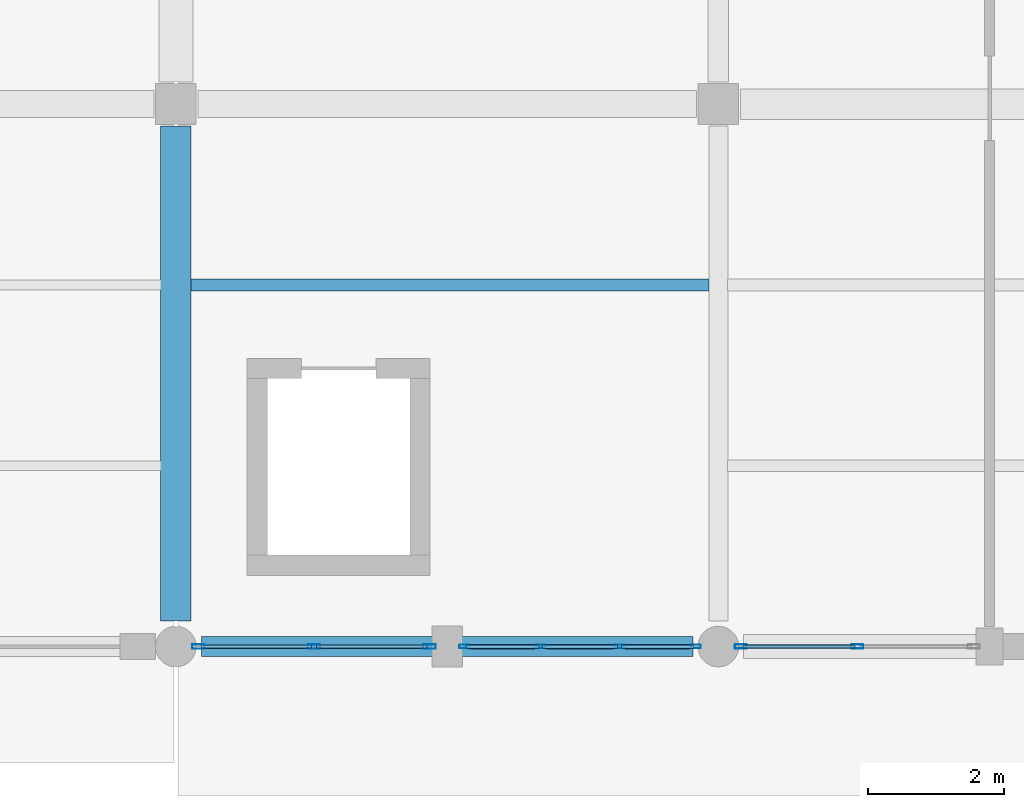
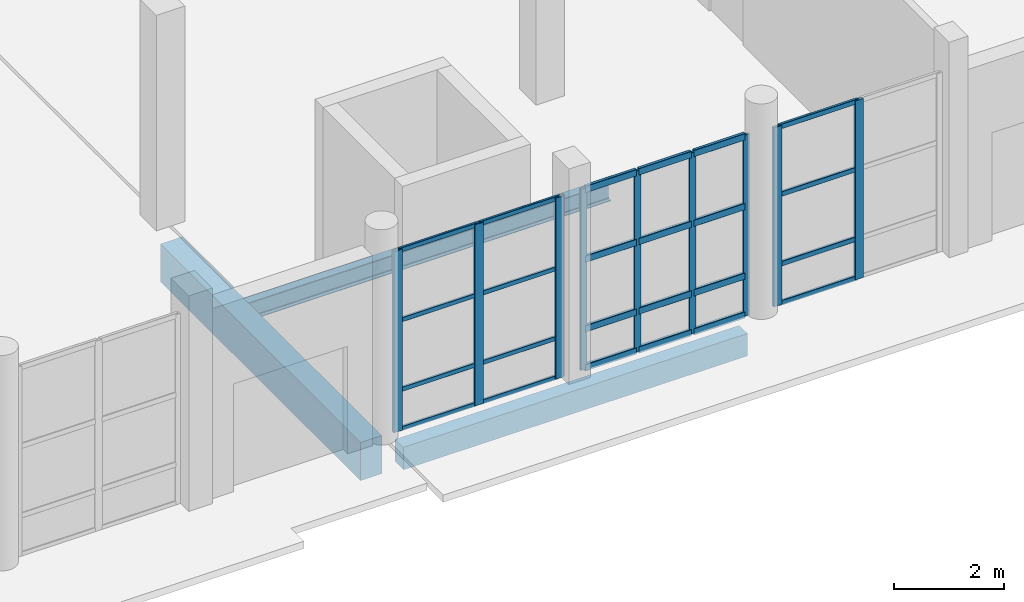
# One storey, part 58 of 156: 33 members, 3 beams, 3 elements without a shape of their own.
"""IFC4 building model written with IfcOpenShell, lengths in metres."""

import ifcopenshell
import ifcopenshell.guid

model = None  # the IFC model being written
_history = None  # IfcOwnerHistory: only IFC2X3 demands one
_inside = {}  # id of a spatial element -> (the spatial element, [elements in it])
_under = {}  # id of a project, library or spatial element -> (it, [spatial elements below it])
_declared = {}  # id of a project -> (the project, [libraries it declares])
_typed = {}  # id of a type object -> (the type object, [elements of that type])
_made_of = {}  # id of a material, layer set ... -> (it, [elements and type objects made of it])


def new_model(schema):
    """Start an empty IFC model of exactly this schema.

    Asked for "IFC4X3", IfcOpenShell would pick the latest addendum, in which some entities
    have other attributes; the version numbers below select the first issue.
    IFC2X3 requires an IfcOwnerHistory on every rooted entity: one is made here for all.
    """
    global model, _history
    if schema == "IFC4X3":
        model = ifcopenshell.file(schema_version=(4, 3, 0, 0))
    else:
        model = ifcopenshell.file(schema=schema)
    _inside.clear()
    _under.clear()
    _declared.clear()
    _typed.clear()
    _made_of.clear()
    _history = None
    if model.schema == "IFC2X3":
        org = make("IfcOrganization", Name="unknown")
        user = make(
            "IfcPersonAndOrganization",
            ThePerson=make("IfcPerson", FamilyName="unknown"),
            TheOrganization=org,
        )
        app = make(
            "IfcApplication",
            ApplicationDeveloper=org,
            Version="unknown",
            ApplicationFullName="unknown",
            ApplicationIdentifier="unknown",
        )
        _history = make(
            "IfcOwnerHistory",
            OwningUser=user,
            OwningApplication=app,
            ChangeAction="ADDED",
            CreationDate=0,
        )
    return model


def make(cls, **values):
    """One entity of the class cls with the attributes given. An attribute that is None is left unset."""
    return model.create_entity(
        cls, **{name: value for name, value in values.items() if value is not None}
    )


def rooted(cls, **values):
    """An entity with a GlobalId (a new one), such as an element, a storey or a relation."""
    return make(cls, GlobalId=ifcopenshell.guid.new(), OwnerHistory=_history, **values)


def si_unit(unit_type, name, prefix=None):
    """IfcSIUnit, for example si_unit("LENGTHUNIT", "METRE", prefix="MILLI")."""
    return make("IfcSIUnit", UnitType=unit_type, Prefix=prefix, Name=name)


def assignment(units):
    """IfcUnitAssignment: the units of a project."""
    return None if units is None else make("IfcUnitAssignment", Units=units)


def point(xyz):
    """IfcCartesianPoint."""
    return None if xyz is None else make("IfcCartesianPoint", Coordinates=xyz)


def direction(xyz):
    """IfcDirection."""
    return None if xyz is None else make("IfcDirection", DirectionRatios=xyz)


def frame(location, z_axis=None, x_axis=None):
    """IfcAxis2Placement3D, a coordinate frame: its origin and axes. An axis left out is left unset."""
    return make(
        "IfcAxis2Placement3D",
        Location=point(location),
        Axis=direction(z_axis),
        RefDirection=direction(x_axis),
    )


def frame_2d(location, x_axis=None):
    """IfcAxis2Placement2D, a coordinate frame in the plane: its origin and x axis."""
    return make(
        "IfcAxis2Placement2D", Location=point(location), RefDirection=direction(x_axis)
    )


def origin():
    """The frame at (0, 0, 0) with its axes left unset."""
    return frame((0.0, 0.0, 0.0))


def origin_2d():
    """The frame at (0, 0) in the plane with its x axis left unset."""
    return frame_2d((0.0, 0.0))


def place(relative_to, where):
    """IfcLocalPlacement: puts the frame where relative to a parent placement (None: the world)."""
    return make(
        "IfcLocalPlacement", PlacementRelTo=relative_to, RelativePlacement=where
    )


def context(
    kind, dimensions, precision=None, world=None, true_north=None, identifier=None
):
    """IfcGeometricRepresentationContext, for example the 3D "Model" context."""
    return make(
        "IfcGeometricRepresentationContext",
        ContextIdentifier=identifier,
        ContextType=kind,
        CoordinateSpaceDimension=dimensions,
        Precision=precision,
        WorldCoordinateSystem=world,
        TrueNorth=true_north,
    )


def subcontext(parent, identifier, kind, view, scale=None):
    """IfcGeometricRepresentationSubContext, for example "Body" below "Model"."""
    return make(
        "IfcGeometricRepresentationSubContext",
        ContextIdentifier=identifier,
        ContextType=kind,
        ParentContext=parent,
        TargetScale=scale,
        TargetView=view,
    )


def project(units=None, contexts=None):
    """IfcProject with its units and contexts."""
    return rooted(
        "IfcProject",
        Name="project",
        RepresentationContexts=contexts,
        UnitsInContext=assignment(units),
    )


def spatial(cls, under=None, at=None, **own):
    """A site, building, storey or space (cls), placed at a placement, below another one or the project."""
    s = rooted(cls, ObjectPlacement=at, **own)
    if under is not None:
        _under.setdefault(under.id(), (under, []))[1].append(s)
    return s


def profile(cls, at=None, kind="AREA", **sizes):
    """A parametric profile (cls). Its sizes go by their IFC names, for example OverallWidth=200.0."""
    return make(cls, ProfileType=kind, Position=at, **sizes)


def rectangle(**sizes):
    """IfcRectangleProfileDef."""
    return profile("IfcRectangleProfileDef", **sizes)


def hollow_rectangle(**sizes):
    """IfcRectangleHollowProfileDef."""
    return profile("IfcRectangleHollowProfileDef", **sizes)


def i_section(**sizes):
    """IfcIShapeProfileDef."""
    return profile("IfcIShapeProfileDef", **sizes)


def extrude(swept, where, along, depth):
    """IfcExtrudedAreaSolid: the profile swept, set in the frame where, extruded along a direction by depth."""
    return make(
        "IfcExtrudedAreaSolid",
        SweptArea=swept,
        Position=where,
        ExtrudedDirection=direction(along),
        Depth=depth,
    )


def shape(context_of_items, identifier, shape_type, items):
    """IfcShapeRepresentation: the items that make up one representation, for example the "Body"."""
    return make(
        "IfcShapeRepresentation",
        ContextOfItems=context_of_items,
        RepresentationIdentifier=identifier,
        RepresentationType=shape_type,
        Items=items,
    )


def material(Name=None, Category=None):
    """IfcMaterial."""
    return make("IfcMaterial", Name=Name, Category=Category)


def material_profile(
    of_material, cross_section, Name=None, Category=None, Priority=None
):
    """IfcMaterialProfile: a cross section and its material."""
    return make(
        "IfcMaterialProfile",
        Name=Name,
        Material=of_material,
        Profile=cross_section,
        Priority=Priority,
        Category=Category,
    )


def profile_set(profiles, Name=None, composite=None):
    """IfcMaterialProfileSet."""
    return make(
        "IfcMaterialProfileSet",
        Name=Name,
        MaterialProfiles=profiles,
        CompositeProfile=composite,
    )


def made_of(thing, what):
    """Note that an element or type object is made of a material, layer set ...; save() writes the relation."""
    if what is not None:
        _made_of.setdefault(what.id(), (what, []))[1].append(thing)
    return thing


def type_object(cls, material=None, **own):
    """A type object (cls), such as IfcWallType, which elements share."""
    return made_of(rooted(cls, **own), material)


def element(
    cls,
    number,
    at=None,
    inside=None,
    cuts=None,
    type_object=None,
    material=None,
    context=None,
    identifier="Body",
    shape_type=None,
    held_by="IfcProductDefinitionShape",
    body=None,
    shapes=None,
    **own,
):
    """One element of the class cls, such as IfcWall. Its Tag is "e" and its number.

    at: its placement. inside: the storey or other place that contains it. cuts: it is an
    opening in that element (IfcRelVoidsElement). A single representation is given by context,
    identifier, shape_type and body (its items); several are given by shapes. held_by: the class
    of the entity that holds the representations. save() writes the other relations.
    """
    e = rooted(cls, Tag="e%d" % number, ObjectPlacement=at, **own)
    if body is not None:
        shapes = [shape(context, identifier, shape_type, body)]
    if shapes is not None:
        e.Representation = make(held_by, Representations=shapes)
    if inside is not None:
        _inside.setdefault(inside.id(), (inside, []))[1].append(e)
    if cuts is not None:
        rooted(
            "IfcRelVoidsElement", RelatingBuildingElement=cuts, RelatedOpeningElement=e
        )
    if type_object is not None:
        _typed.setdefault(type_object.id(), (type_object, []))[1].append(e)
    return made_of(e, material)


def aggregate(whole, parts):
    """IfcRelAggregates: a whole, such as a stair, and the parts it consists of."""
    return rooted("IfcRelAggregates", RelatingObject=whole, RelatedObjects=parts)


def save(model, path):
    """Write the relations noted so far, then the file.

    IfcRelAggregates (storeys below a building ...), IfcRelContainedInSpatialStructure (elements
    in a storey), IfcRelDefinesByType, IfcRelAssociatesMaterial and IfcRelDeclares: one each for
    every whole, place, type object, material and project.
    """
    for whole, parts in _under.values():
        aggregate(whole, parts)
    for where, things in _inside.values():
        rooted(
            "IfcRelContainedInSpatialStructure",
            RelatedElements=things,
            RelatingStructure=where,
        )
    for kind, things in _typed.values():
        rooted("IfcRelDefinesByType", RelatedObjects=things, RelatingType=kind)
    for what, things in _made_of.values():
        rooted("IfcRelAssociatesMaterial", RelatedObjects=things, RelatingMaterial=what)
    for by, libraries in _declared.values():
        rooted("IfcRelDeclares", RelatingContext=by, RelatedDefinitions=libraries)
    model.write(path)


model = new_model("IFC4")

# Units and contexts
model_context = context("Model", 3, precision=1e-05, world=origin(), true_north=direction((0.0, 1.0)))
body_context = subcontext(model_context, "Body", "Model", "MODEL_VIEW")
ifc_project = project(units=[si_unit("LENGTHUNIT", "METRE"), si_unit("AREAUNIT", "SQUARE_METRE"), si_unit("VOLUMEUNIT", "CUBIC_METRE"), si_unit("PLANEANGLEUNIT", "RADIAN"), si_unit("MASSUNIT", "GRAM", prefix="KILO")], contexts=[model_context])

# Site, building, storey
site_placement = place(None, origin())
site = spatial("IfcSite", under=ifc_project, at=site_placement, CompositionType="ELEMENT")
building_placement = place(site_placement, origin())
building = spatial("IfcBuilding", under=site, at=building_placement, Name="Luwemba Playhouse", CompositionType="ELEMENT")
storey_placement = place(building_placement, origin())
storey = spatial("IfcBuildingStorey", under=building, at=storey_placement, Name="L00", CompositionType="ELEMENT", Elevation=0.0)

# Beams
ifc_material_1 = material(Name="Concrete C40/50", Category="concrete")
ifc_material_profile_1 = material_profile(ifc_material_1, rectangle(XDim=0.449951171875, YDim=0.85009765625, at=origin_2d()))
ifc_profile_set_1 = profile_set([ifc_material_profile_1], Name="Concrete C40/50")
beam_type_1 = type_object("IfcBeamType", Name="BM-RB05", PredefinedType="BEAM", material=ifc_profile_set_1)
beam_1_placement = place(storey_placement, frame((132.0, 3.375, -0.72509765625), z_axis=(0.0, 1.0, 0.0), x_axis=(-1.0, 0.0, 0.0)))
element("IfcBeam", 1, at=beam_1_placement, inside=storey, type_object=beam_type_1, Name="L00 transverse girder 0236", PredefinedType="BEAM", context=body_context, shape_type="SweptSolid", body=[
    extrude(rectangle(XDim=0.449951171875, YDim=0.85009765625, at=origin_2d()), origin(), (0.0, 0.0, 1.0), 7.300048828125),
])
ifc_material_2 = material(Name="Steel S355", Category="steel")
ifc_material_profile_2 = material_profile(ifc_material_2, i_section(OverallWidth=0.179931640625, OverallDepth=0.39990234375, WebThickness=0.008544921875, FlangeThickness=0.013427734375, FilletRadius=0.02099609375, at=origin_2d()))
ifc_profile_set_2 = profile_set([ifc_material_profile_2], Name="Steel S355")
beam_type_2 = type_object("IfcBeamType", Name="BM-SJ08", PredefinedType="JOIST", material=ifc_profile_set_2)
beam_2_placement = place(storey_placement, frame((132.220947265625, 8.333251953125, -0.5), z_axis=(1.0, 0.0, 0.0), x_axis=(0.0, 1.0, 0.0)))
element("IfcBeam", 2, at=beam_2_placement, inside=storey, type_object=beam_type_2, Name="L00 composite floor joist 0166", PredefinedType="JOIST", context=body_context, shape_type="SweptSolid", body=[
    extrude(i_section(OverallWidth=0.179931640625, OverallDepth=0.39990234375, WebThickness=0.008544921875, FlangeThickness=0.013427734375, FilletRadius=0.02099609375, at=origin_2d()), origin(), (0.0, 0.0, 1.0), 7.64306640625),
])
ifc_material_profile_3 = material_profile(ifc_material_1, rectangle(XDim=0.300048828125, YDim=0.5, at=origin_2d()))
ifc_profile_set_3 = profile_set([ifc_material_profile_3], Name="Concrete C40/50")
beam_type_3 = type_object("IfcBeamType", Name="BM-SP1", PredefinedType="SPANDREL", material=ifc_profile_set_3)
beam_3_placement = place(storey_placement, frame((132.375, 3.0, -0.550048828125), z_axis=(1.0, 0.0, 0.0), x_axis=(0.0, 1.0, 0.0)))
element("IfcBeam", 3, at=beam_3_placement, inside=storey, type_object=beam_type_3, Name="L00 grid girder 0204", PredefinedType="SPANDREL", context=body_context, shape_type="SweptSolid", body=[
    extrude(rectangle(XDim=0.300048828125, YDim=0.5, at=origin_2d()), origin(), (0.0, 0.0, 1.0), 7.25),
])

# Curtain wall, members
ifc_material_3 = material(Name="Solar-control double glazing", Category="glass")
curtain_wall_type_1 = type_object("IfcCurtainWallType", Name="CW-CW64", PredefinedType="USERDEFINED", material=ifc_material_3)
curtain_wall_1_placement = place(storey_placement, origin())
curtain_wall_1 = element("IfcCurtainWall", 4, at=curtain_wall_1_placement, inside=storey, type_object=curtain_wall_type_1, Name="L00 V5E unitised curtain wall 076", ObjectType="UNITISED GLAZING", PredefinedType="USERDEFINED")
ifc_material_4 = material(Name="Aluminium 6063-T6", Category="aluminium")
ifc_material_profile_4 = material_profile(ifc_material_4, hollow_rectangle(XDim=0.06494140625, YDim=0.179931640625, WallThickness=0.00439453125, InnerFilletRadius=0.0068359375, OuterFilletRadius=0.01123046875, at=origin_2d()))
ifc_profile_set_4 = profile_set([ifc_material_profile_4], Name="Aluminium 6063-T6")
member_type_1 = type_object("IfcMemberType", Name="CWM-M2", PredefinedType="MULLION", material=ifc_profile_set_4)
member_1_placement = place(storey_placement, frame((142.050048828125, 3.0, 0.0), z_axis=(0.0, 0.0, 1.0), x_axis=(0.0, -1.0, 0.0)))
member_1 = element("IfcMember", 5, at=member_1_placement, type_object=member_type_1, Name="CW64 mullion 2", PredefinedType="MULLION", context=body_context, shape_type="SweptSolid", body=[
    extrude(hollow_rectangle(XDim=0.06494140625, YDim=0.179931640625, WallThickness=0.00439453125, InnerFilletRadius=0.0068359375, OuterFilletRadius=0.01123046875, at=origin_2d()), origin(), (0.0, 0.0, 1.0), 3.985107421875),
])
member_2_placement = place(storey_placement, frame((140.33251953125, 3.0, 0.0), z_axis=(0.0, 0.0, 1.0), x_axis=(0.0, -1.0, 0.0)))
member_2 = element("IfcMember", 6, at=member_2_placement, type_object=member_type_1, Name="CW64 mullion 3", PredefinedType="MULLION", context=body_context, shape_type="SweptSolid", body=[
    extrude(hollow_rectangle(XDim=0.06494140625, YDim=0.179931640625, WallThickness=0.00439453125, InnerFilletRadius=0.0068359375, OuterFilletRadius=0.01123046875, at=origin_2d()), origin(), (0.0, 0.0, 1.0), 3.985107421875),
])

curtain_wall_type_2 = type_object("IfcCurtainWallType", Name="CW-CW17", PredefinedType="USERDEFINED", material=ifc_material_3)
curtain_wall_2_placement = place(storey_placement, origin())
curtain_wall_2 = element("IfcCurtainWall", 7, at=curtain_wall_2_placement, inside=storey, type_object=curtain_wall_type_2, Name="L00 V5E unitised curtain wall 077", ObjectType="UNITISED GLAZING", PredefinedType="USERDEFINED")
ifc_material_profile_5 = material_profile(ifc_material_4, hollow_rectangle(XDim=0.054931640625, YDim=0.139892578125, WallThickness=0.00390625, InnerFilletRadius=0.006103515625, OuterFilletRadius=0.010009765625, at=origin_2d()))
ifc_profile_set_5 = profile_set([ifc_material_profile_5], Name="Aluminium 6063-T6")
member_type_2 = type_object("IfcMemberType", Name="CWM-M3", PredefinedType="MULLION", material=ifc_profile_set_5)
member_3_placement = place(storey_placement, frame((139.672607421875, 3.0, 0.0), z_axis=(0.0, 0.0, 1.0), x_axis=(0.0, -1.0, 0.0)))
member_3 = element("IfcMember", 8, at=member_3_placement, type_object=member_type_2, Name="CW17 mullion 1", PredefinedType="MULLION", context=body_context, shape_type="SweptSolid", body=[
    extrude(hollow_rectangle(XDim=0.054931640625, YDim=0.139892578125, WallThickness=0.00390625, InnerFilletRadius=0.006103515625, OuterFilletRadius=0.010009765625, at=origin_2d()), origin(), (0.0, 0.0, 1.0), 4.034912109375),
])
member_4_placement = place(storey_placement, frame((138.541748046875, 3.0, 0.0), z_axis=(0.0, 0.0, 1.0), x_axis=(0.0, -1.0, 0.0)))
member_4 = element("IfcMember", 9, at=member_4_placement, type_object=member_type_2, Name="CW17 mullion 2", PredefinedType="MULLION", context=body_context, shape_type="SweptSolid", body=[
    extrude(hollow_rectangle(XDim=0.054931640625, YDim=0.139892578125, WallThickness=0.00390625, InnerFilletRadius=0.006103515625, OuterFilletRadius=0.010009765625, at=origin_2d()), origin(), (0.0, 0.0, 1.0), 4.034912109375),
])
member_5_placement = place(storey_placement, frame((137.38330078125, 3.0, 0.0), z_axis=(0.0, 0.0, 1.0), x_axis=(0.0, -1.0, 0.0)))
member_5 = element("IfcMember", 10, at=member_5_placement, type_object=member_type_2, Name="CW17 mullion 3", PredefinedType="MULLION", context=body_context, shape_type="SweptSolid", body=[
    extrude(hollow_rectangle(XDim=0.054931640625, YDim=0.139892578125, WallThickness=0.00390625, InnerFilletRadius=0.006103515625, OuterFilletRadius=0.010009765625, at=origin_2d()), origin(), (0.0, 0.0, 1.0), 4.034912109375),
])
member_6_placement = place(storey_placement, frame((136.25244140625, 3.0, 0.0), z_axis=(0.0, 0.0, 1.0), x_axis=(0.0, -1.0, 0.0)))
member_6 = element("IfcMember", 11, at=member_6_placement, type_object=member_type_2, Name="CW17 mullion 4", PredefinedType="MULLION", context=body_context, shape_type="SweptSolid", body=[
    extrude(hollow_rectangle(XDim=0.054931640625, YDim=0.139892578125, WallThickness=0.00390625, InnerFilletRadius=0.006103515625, OuterFilletRadius=0.010009765625, at=origin_2d()), origin(), (0.0, 0.0, 1.0), 4.034912109375),
])

curtain_wall_type_3 = type_object("IfcCurtainWallType", Name="CW-CW14", PredefinedType="USERDEFINED", material=ifc_material_3)
curtain_wall_3_placement = place(storey_placement, origin())
curtain_wall_3 = element("IfcCurtainWall", 12, at=curtain_wall_3_placement, inside=storey, type_object=curtain_wall_type_3, Name="L00 V5E unitised curtain wall 078", ObjectType="UNITISED GLAZING", PredefinedType="USERDEFINED")
ifc_material_profile_6 = material_profile(ifc_material_4, hollow_rectangle(XDim=0.070068359375, YDim=0.18994140625, WallThickness=0.0048828125, InnerFilletRadius=0.007568359375, OuterFilletRadius=0.012451171875, at=origin_2d()))
ifc_profile_set_6 = profile_set([ifc_material_profile_6], Name="Aluminium 6063-T6")
member_type_3 = type_object("IfcMemberType", Name="CWM-M4", PredefinedType="MULLION", material=ifc_profile_set_6)
member_7_placement = place(storey_placement, frame((135.739990234375, 3.0, 0.0), z_axis=(0.0, 0.0, 1.0), x_axis=(0.0, -1.0, 0.0)))
member_7 = element("IfcMember", 13, at=member_7_placement, type_object=member_type_3, Name="CW14 mullion 1", PredefinedType="MULLION", context=body_context, shape_type="SweptSolid", body=[
    extrude(hollow_rectangle(XDim=0.070068359375, YDim=0.18994140625, WallThickness=0.0048828125, InnerFilletRadius=0.007568359375, OuterFilletRadius=0.012451171875, at=origin_2d()), origin(), (0.0, 0.0, 1.0), 4.034912109375),
])
member_8_placement = place(storey_placement, frame((134.03759765625, 3.0, 0.0), z_axis=(0.0, 0.0, 1.0), x_axis=(0.0, -1.0, 0.0)))
member_8 = element("IfcMember", 14, at=member_8_placement, type_object=member_type_3, Name="CW14 mullion 2", PredefinedType="MULLION", context=body_context, shape_type="SweptSolid", body=[
    extrude(hollow_rectangle(XDim=0.070068359375, YDim=0.18994140625, WallThickness=0.0048828125, InnerFilletRadius=0.007568359375, OuterFilletRadius=0.012451171875, at=origin_2d()), origin(), (0.0, 0.0, 1.0), 4.034912109375),
])
member_9_placement = place(storey_placement, frame((132.3349609375, 3.0, 0.0), z_axis=(0.0, 0.0, 1.0), x_axis=(0.0, -1.0, 0.0)))
member_9 = element("IfcMember", 15, at=member_9_placement, type_object=member_type_3, Name="CW14 mullion 3", PredefinedType="MULLION", context=body_context, shape_type="SweptSolid", body=[
    extrude(hollow_rectangle(XDim=0.070068359375, YDim=0.18994140625, WallThickness=0.0048828125, InnerFilletRadius=0.007568359375, OuterFilletRadius=0.012451171875, at=origin_2d()), origin(), (0.0, 0.0, 1.0), 4.034912109375),
])

# Member
ifc_material_profile_7 = material_profile(ifc_material_4, hollow_rectangle(XDim=0.054931640625, YDim=0.110107421875, WallThickness=0.00341796875, InnerFilletRadius=0.00537109375, OuterFilletRadius=0.0087890625, at=origin_2d()))
ifc_profile_set_7 = profile_set([ifc_material_profile_7], Name="Aluminium 6063-T6")
member_type_4 = type_object("IfcMemberType", Name="CWT-T2", PredefinedType="USERDEFINED", material=ifc_profile_set_7)
member_10_placement = place(storey_placement, frame((142.017578125, 3.0, 0.027587890625), z_axis=(-1.0, 0.0, 0.0), x_axis=(0.0, -1.0, 0.0)))
member_10 = element("IfcMember", 16, at=member_10_placement, type_object=member_type_4, Name="CW64 transom 2.1", ObjectType="TRANSOM", PredefinedType="USERDEFINED", context=body_context, shape_type="SweptSolid", body=[
    extrude(hollow_rectangle(XDim=0.054931640625, YDim=0.110107421875, WallThickness=0.00341796875, InnerFilletRadius=0.00537109375, OuterFilletRadius=0.0087890625, at=origin_2d()), origin(), (0.0, 0.0, 1.0), 1.652587890625),
])

member_11_placement = place(storey_placement, frame((142.017578125, 3.0, 0.89990234375), z_axis=(-1.0, 0.0, 0.0), x_axis=(0.0, -1.0, 0.0)))
member_11 = element("IfcMember", 17, at=member_11_placement, type_object=member_type_4, Name="CW64 transom 2.2", ObjectType="TRANSOM", PredefinedType="USERDEFINED", context=body_context, shape_type="SweptSolid", body=[
    extrude(hollow_rectangle(XDim=0.054931640625, YDim=0.110107421875, WallThickness=0.00341796875, InnerFilletRadius=0.00537109375, OuterFilletRadius=0.0087890625, at=origin_2d()), origin(), (0.0, 0.0, 1.0), 1.652587890625),
])

member_12_placement = place(storey_placement, frame((142.017578125, 3.0, 2.449951171875), z_axis=(-1.0, 0.0, 0.0), x_axis=(0.0, -1.0, 0.0)))
member_12 = element("IfcMember", 18, at=member_12_placement, type_object=member_type_4, Name="CW64 transom 2.3", ObjectType="TRANSOM", PredefinedType="USERDEFINED", context=body_context, shape_type="SweptSolid", body=[
    extrude(hollow_rectangle(XDim=0.054931640625, YDim=0.110107421875, WallThickness=0.00341796875, InnerFilletRadius=0.00537109375, OuterFilletRadius=0.0087890625, at=origin_2d()), origin(), (0.0, 0.0, 1.0), 1.652587890625),
])

member_13_placement = place(storey_placement, frame((142.017578125, 3.0, 3.95751953125), z_axis=(-1.0, 0.0, 0.0), x_axis=(0.0, -1.0, 0.0)))
member_13 = element("IfcMember", 19, at=member_13_placement, type_object=member_type_4, Name="CW64 transom 2.4", ObjectType="TRANSOM", PredefinedType="USERDEFINED", context=body_context, shape_type="SweptSolid", body=[
    extrude(hollow_rectangle(XDim=0.054931640625, YDim=0.110107421875, WallThickness=0.00341796875, InnerFilletRadius=0.00537109375, OuterFilletRadius=0.0087890625, at=origin_2d()), origin(), (0.0, 0.0, 1.0), 1.652587890625),
])

aggregate(curtain_wall_1, [member_1, member_2, member_10, member_11, member_12, member_13])

ifc_material_profile_8 = material_profile(ifc_material_4, hollow_rectangle(XDim=0.06494140625, YDim=0.14990234375, WallThickness=0.00390625, InnerFilletRadius=0.006103515625, OuterFilletRadius=0.010009765625, at=origin_2d()))
ifc_profile_set_8 = profile_set([ifc_material_profile_8], Name="Aluminium 6063-T6")
member_type_5 = type_object("IfcMemberType", Name="CWT-T3", PredefinedType="USERDEFINED", material=ifc_profile_set_8)
member_14_placement = place(storey_placement, frame((139.64501953125, 3.0, 0.032470703125), z_axis=(-1.0, 0.0, 0.0), x_axis=(0.0, -1.0, 0.0)))
member_14 = element("IfcMember", 20, at=member_14_placement, type_object=member_type_5, Name="CW17 transom 1.1", ObjectType="TRANSOM", PredefinedType="USERDEFINED", context=body_context, shape_type="SweptSolid", body=[
    extrude(hollow_rectangle(XDim=0.06494140625, YDim=0.14990234375, WallThickness=0.00390625, InnerFilletRadius=0.006103515625, OuterFilletRadius=0.010009765625, at=origin_2d()), origin(), (0.0, 0.0, 1.0), 1.075927734375),
])

member_15_placement = place(storey_placement, frame((139.64501953125, 3.0, 0.89990234375), z_axis=(-1.0, 0.0, 0.0), x_axis=(0.0, -1.0, 0.0)))
member_15 = element("IfcMember", 21, at=member_15_placement, type_object=member_type_5, Name="CW17 transom 1.2", ObjectType="TRANSOM", PredefinedType="USERDEFINED", context=body_context, shape_type="SweptSolid", body=[
    extrude(hollow_rectangle(XDim=0.06494140625, YDim=0.14990234375, WallThickness=0.00390625, InnerFilletRadius=0.006103515625, OuterFilletRadius=0.010009765625, at=origin_2d()), origin(), (0.0, 0.0, 1.0), 1.075927734375),
])

member_16_placement = place(storey_placement, frame((139.64501953125, 3.0, 2.449951171875), z_axis=(-1.0, 0.0, 0.0), x_axis=(0.0, -1.0, 0.0)))
member_16 = element("IfcMember", 22, at=member_16_placement, type_object=member_type_5, Name="CW17 transom 1.3", ObjectType="TRANSOM", PredefinedType="USERDEFINED", context=body_context, shape_type="SweptSolid", body=[
    extrude(hollow_rectangle(XDim=0.06494140625, YDim=0.14990234375, WallThickness=0.00390625, InnerFilletRadius=0.006103515625, OuterFilletRadius=0.010009765625, at=origin_2d()), origin(), (0.0, 0.0, 1.0), 1.075927734375),
])

member_17_placement = place(storey_placement, frame((139.64501953125, 3.0, 4.00244140625), z_axis=(-1.0, 0.0, 0.0), x_axis=(0.0, -1.0, 0.0)))
member_17 = element("IfcMember", 23, at=member_17_placement, type_object=member_type_5, Name="CW17 transom 1.4", ObjectType="TRANSOM", PredefinedType="USERDEFINED", context=body_context, shape_type="SweptSolid", body=[
    extrude(hollow_rectangle(XDim=0.06494140625, YDim=0.14990234375, WallThickness=0.00390625, InnerFilletRadius=0.006103515625, OuterFilletRadius=0.010009765625, at=origin_2d()), origin(), (0.0, 0.0, 1.0), 1.075927734375),
])

member_18_placement = place(storey_placement, frame((138.51416015625, 3.0, 0.032470703125), z_axis=(-1.0, 0.0, 0.0), x_axis=(0.0, -1.0, 0.0)))
member_18 = element("IfcMember", 24, at=member_18_placement, type_object=member_type_5, Name="CW17 transom 2.1", ObjectType="TRANSOM", PredefinedType="USERDEFINED", context=body_context, shape_type="SweptSolid", body=[
    extrude(hollow_rectangle(XDim=0.06494140625, YDim=0.14990234375, WallThickness=0.00390625, InnerFilletRadius=0.006103515625, OuterFilletRadius=0.010009765625, at=origin_2d()), origin(), (0.0, 0.0, 1.0), 1.103271484375),
])

member_19_placement = place(storey_placement, frame((138.51416015625, 3.0, 0.89990234375), z_axis=(-1.0, 0.0, 0.0), x_axis=(0.0, -1.0, 0.0)))
member_19 = element("IfcMember", 25, at=member_19_placement, type_object=member_type_5, Name="CW17 transom 2.2", ObjectType="TRANSOM", PredefinedType="USERDEFINED", context=body_context, shape_type="SweptSolid", body=[
    extrude(hollow_rectangle(XDim=0.06494140625, YDim=0.14990234375, WallThickness=0.00390625, InnerFilletRadius=0.006103515625, OuterFilletRadius=0.010009765625, at=origin_2d()), origin(), (0.0, 0.0, 1.0), 1.103271484375),
])

member_20_placement = place(storey_placement, frame((138.51416015625, 3.0, 2.449951171875), z_axis=(-1.0, 0.0, 0.0), x_axis=(0.0, -1.0, 0.0)))
member_20 = element("IfcMember", 26, at=member_20_placement, type_object=member_type_5, Name="CW17 transom 2.3", ObjectType="TRANSOM", PredefinedType="USERDEFINED", context=body_context, shape_type="SweptSolid", body=[
    extrude(hollow_rectangle(XDim=0.06494140625, YDim=0.14990234375, WallThickness=0.00390625, InnerFilletRadius=0.006103515625, OuterFilletRadius=0.010009765625, at=origin_2d()), origin(), (0.0, 0.0, 1.0), 1.103271484375),
])

member_21_placement = place(storey_placement, frame((138.51416015625, 3.0, 4.00244140625), z_axis=(-1.0, 0.0, 0.0), x_axis=(0.0, -1.0, 0.0)))
member_21 = element("IfcMember", 27, at=member_21_placement, type_object=member_type_5, Name="CW17 transom 2.4", ObjectType="TRANSOM", PredefinedType="USERDEFINED", context=body_context, shape_type="SweptSolid", body=[
    extrude(hollow_rectangle(XDim=0.06494140625, YDim=0.14990234375, WallThickness=0.00390625, InnerFilletRadius=0.006103515625, OuterFilletRadius=0.010009765625, at=origin_2d()), origin(), (0.0, 0.0, 1.0), 1.103271484375),
])

member_22_placement = place(storey_placement, frame((137.355712890625, 3.0, 0.032470703125), z_axis=(-1.0, 0.0, 0.0), x_axis=(0.0, -1.0, 0.0)))
member_22 = element("IfcMember", 28, at=member_22_placement, type_object=member_type_5, Name="CW17 transom 3.1", ObjectType="TRANSOM", PredefinedType="USERDEFINED", context=body_context, shape_type="SweptSolid", body=[
    extrude(hollow_rectangle(XDim=0.06494140625, YDim=0.14990234375, WallThickness=0.00390625, InnerFilletRadius=0.006103515625, OuterFilletRadius=0.010009765625, at=origin_2d()), origin(), (0.0, 0.0, 1.0), 1.07568359375),
])

member_23_placement = place(storey_placement, frame((137.355712890625, 3.0, 0.89990234375), z_axis=(-1.0, 0.0, 0.0), x_axis=(0.0, -1.0, 0.0)))
member_23 = element("IfcMember", 29, at=member_23_placement, type_object=member_type_5, Name="CW17 transom 3.2", ObjectType="TRANSOM", PredefinedType="USERDEFINED", context=body_context, shape_type="SweptSolid", body=[
    extrude(hollow_rectangle(XDim=0.06494140625, YDim=0.14990234375, WallThickness=0.00390625, InnerFilletRadius=0.006103515625, OuterFilletRadius=0.010009765625, at=origin_2d()), origin(), (0.0, 0.0, 1.0), 1.07568359375),
])

member_24_placement = place(storey_placement, frame((137.355712890625, 3.0, 2.449951171875), z_axis=(-1.0, 0.0, 0.0), x_axis=(0.0, -1.0, 0.0)))
member_24 = element("IfcMember", 30, at=member_24_placement, type_object=member_type_5, Name="CW17 transom 3.3", ObjectType="TRANSOM", PredefinedType="USERDEFINED", context=body_context, shape_type="SweptSolid", body=[
    extrude(hollow_rectangle(XDim=0.06494140625, YDim=0.14990234375, WallThickness=0.00390625, InnerFilletRadius=0.006103515625, OuterFilletRadius=0.010009765625, at=origin_2d()), origin(), (0.0, 0.0, 1.0), 1.07568359375),
])

member_25_placement = place(storey_placement, frame((137.355712890625, 3.0, 4.00244140625), z_axis=(-1.0, 0.0, 0.0), x_axis=(0.0, -1.0, 0.0)))
member_25 = element("IfcMember", 31, at=member_25_placement, type_object=member_type_5, Name="CW17 transom 3.4", ObjectType="TRANSOM", PredefinedType="USERDEFINED", context=body_context, shape_type="SweptSolid", body=[
    extrude(hollow_rectangle(XDim=0.06494140625, YDim=0.14990234375, WallThickness=0.00390625, InnerFilletRadius=0.006103515625, OuterFilletRadius=0.010009765625, at=origin_2d()), origin(), (0.0, 0.0, 1.0), 1.07568359375),
])

aggregate(curtain_wall_2, [member_3, member_4, member_5, member_6, member_14, member_15, member_16, member_17, member_18, member_19, member_20, member_21, member_22, member_23, member_24, member_25])

ifc_material_profile_9 = material_profile(ifc_material_4, hollow_rectangle(XDim=0.050048828125, YDim=0.10009765625, WallThickness=0.00341796875, InnerFilletRadius=0.00537109375, OuterFilletRadius=0.0087890625, at=origin_2d()))
ifc_profile_set_9 = profile_set([ifc_material_profile_9], Name="Aluminium 6063-T6")
member_type_6 = type_object("IfcMemberType", Name="CWT-T4", PredefinedType="USERDEFINED", material=ifc_profile_set_9)
member_26_placement = place(storey_placement, frame((135.705078125, 3.0, 0.02490234375), z_axis=(-1.0, 0.0, 0.0), x_axis=(0.0, -1.0, 0.0)))
member_26 = element("IfcMember", 32, at=member_26_placement, type_object=member_type_6, Name="CW14 transom 1.1", ObjectType="TRANSOM", PredefinedType="USERDEFINED", context=body_context, shape_type="SweptSolid", body=[
    extrude(hollow_rectangle(XDim=0.050048828125, YDim=0.10009765625, WallThickness=0.00341796875, InnerFilletRadius=0.00537109375, OuterFilletRadius=0.0087890625, at=origin_2d()), origin(), (0.0, 0.0, 1.0), 1.632568359375),
])

member_27_placement = place(storey_placement, frame((135.705078125, 3.0, 0.89990234375), z_axis=(-1.0, 0.0, 0.0), x_axis=(0.0, -1.0, 0.0)))
member_27 = element("IfcMember", 33, at=member_27_placement, type_object=member_type_6, Name="CW14 transom 1.2", ObjectType="TRANSOM", PredefinedType="USERDEFINED", context=body_context, shape_type="SweptSolid", body=[
    extrude(hollow_rectangle(XDim=0.050048828125, YDim=0.10009765625, WallThickness=0.00341796875, InnerFilletRadius=0.00537109375, OuterFilletRadius=0.0087890625, at=origin_2d()), origin(), (0.0, 0.0, 1.0), 1.632568359375),
])

member_28_placement = place(storey_placement, frame((135.705078125, 3.0, 2.449951171875), z_axis=(-1.0, 0.0, 0.0), x_axis=(0.0, -1.0, 0.0)))
member_28 = element("IfcMember", 34, at=member_28_placement, type_object=member_type_6, Name="CW14 transom 1.3", ObjectType="TRANSOM", PredefinedType="USERDEFINED", context=body_context, shape_type="SweptSolid", body=[
    extrude(hollow_rectangle(XDim=0.050048828125, YDim=0.10009765625, WallThickness=0.00341796875, InnerFilletRadius=0.00537109375, OuterFilletRadius=0.0087890625, at=origin_2d()), origin(), (0.0, 0.0, 1.0), 1.632568359375),
])

member_29_placement = place(storey_placement, frame((135.705078125, 3.0, 4.010009765625), z_axis=(-1.0, 0.0, 0.0), x_axis=(0.0, -1.0, 0.0)))
member_29 = element("IfcMember", 35, at=member_29_placement, type_object=member_type_6, Name="CW14 transom 1.4", ObjectType="TRANSOM", PredefinedType="USERDEFINED", context=body_context, shape_type="SweptSolid", body=[
    extrude(hollow_rectangle(XDim=0.050048828125, YDim=0.10009765625, WallThickness=0.00341796875, InnerFilletRadius=0.00537109375, OuterFilletRadius=0.0087890625, at=origin_2d()), origin(), (0.0, 0.0, 1.0), 1.632568359375),
])

member_30_placement = place(storey_placement, frame((134.00244140625, 3.0, 0.02490234375), z_axis=(-1.0, 0.0, 0.0), x_axis=(0.0, -1.0, 0.0)))
member_30 = element("IfcMember", 36, at=member_30_placement, type_object=member_type_6, Name="CW14 transom 2.1", ObjectType="TRANSOM", PredefinedType="USERDEFINED", context=body_context, shape_type="SweptSolid", body=[
    extrude(hollow_rectangle(XDim=0.050048828125, YDim=0.10009765625, WallThickness=0.00341796875, InnerFilletRadius=0.00537109375, OuterFilletRadius=0.0087890625, at=origin_2d()), origin(), (0.0, 0.0, 1.0), 1.63232421875),
])

member_31_placement = place(storey_placement, frame((134.00244140625, 3.0, 0.89990234375), z_axis=(-1.0, 0.0, 0.0), x_axis=(0.0, -1.0, 0.0)))
member_31 = element("IfcMember", 37, at=member_31_placement, type_object=member_type_6, Name="CW14 transom 2.2", ObjectType="TRANSOM", PredefinedType="USERDEFINED", context=body_context, shape_type="SweptSolid", body=[
    extrude(hollow_rectangle(XDim=0.050048828125, YDim=0.10009765625, WallThickness=0.00341796875, InnerFilletRadius=0.00537109375, OuterFilletRadius=0.0087890625, at=origin_2d()), origin(), (0.0, 0.0, 1.0), 1.63232421875),
])

member_32_placement = place(storey_placement, frame((134.00244140625, 3.0, 2.449951171875), z_axis=(-1.0, 0.0, 0.0), x_axis=(0.0, -1.0, 0.0)))
member_32 = element("IfcMember", 38, at=member_32_placement, type_object=member_type_6, Name="CW14 transom 2.3", ObjectType="TRANSOM", PredefinedType="USERDEFINED", context=body_context, shape_type="SweptSolid", body=[
    extrude(hollow_rectangle(XDim=0.050048828125, YDim=0.10009765625, WallThickness=0.00341796875, InnerFilletRadius=0.00537109375, OuterFilletRadius=0.0087890625, at=origin_2d()), origin(), (0.0, 0.0, 1.0), 1.63232421875),
])

member_33_placement = place(storey_placement, frame((134.00244140625, 3.0, 4.010009765625), z_axis=(-1.0, 0.0, 0.0), x_axis=(0.0, -1.0, 0.0)))
member_33 = element("IfcMember", 39, at=member_33_placement, type_object=member_type_6, Name="CW14 transom 2.4", ObjectType="TRANSOM", PredefinedType="USERDEFINED", context=body_context, shape_type="SweptSolid", body=[
    extrude(hollow_rectangle(XDim=0.050048828125, YDim=0.10009765625, WallThickness=0.00341796875, InnerFilletRadius=0.00537109375, OuterFilletRadius=0.0087890625, at=origin_2d()), origin(), (0.0, 0.0, 1.0), 1.63232421875),
])

aggregate(curtain_wall_3, [member_7, member_8, member_9, member_26, member_27, member_28, member_29, member_30, member_31, member_32, member_33])

save(model, "model.ifc")
